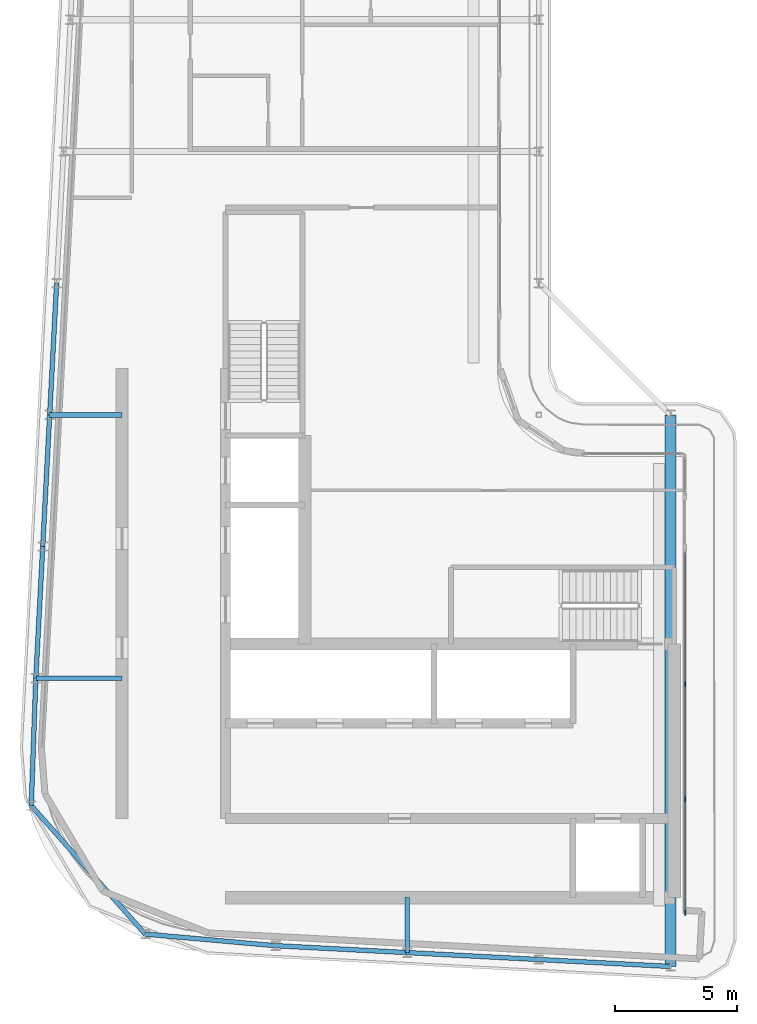
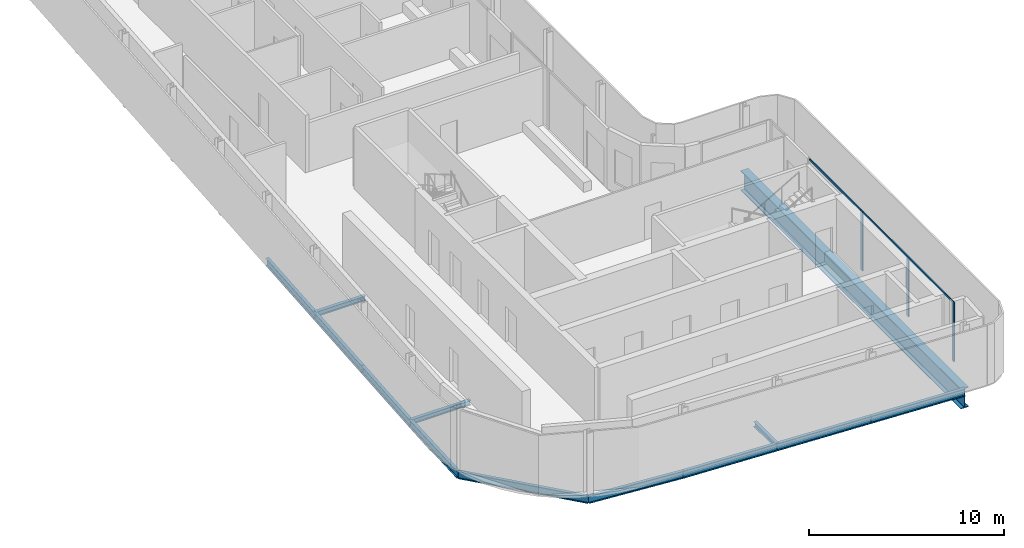
# One storey, part 4 of 15: 13 beams, 5 members, 2 elements without a shape of their own.
"""IFC4 building model written with IfcOpenShell, lengths in metres."""

from ifc_helpers import new_model, si_unit, direction, frame, origin, origin_2d, place, context, subcontext, project, spatial, rectangle, i_section, extrude, material, layer, layer_set, material_profile, profile_set, type_object, element, aggregate, save


model = new_model("IFC4")

# Units and contexts
model_context = context("Model", 3, precision=1e-05, world=origin(), true_north=direction((0.0, 1.0)))
body_context = subcontext(model_context, "Body", "Model", "MODEL_VIEW")
ifc_project = project(units=[si_unit("LENGTHUNIT", "METRE"), si_unit("AREAUNIT", "SQUARE_METRE"), si_unit("VOLUMEUNIT", "CUBIC_METRE"), si_unit("PLANEANGLEUNIT", "RADIAN"), si_unit("MASSUNIT", "GRAM", prefix="KILO")], contexts=[model_context])

# Site, building, storey
site_placement = place(None, origin())
site = spatial("IfcSite", under=ifc_project, at=site_placement, CompositionType="ELEMENT")
building_placement = place(site_placement, origin())
building = spatial("IfcBuilding", under=site, at=building_placement, Name="Kheshtan School and Residences Tower", CompositionType="ELEMENT")
storey_placement = place(building_placement, frame((0.0, 0.0, 338.300048828125)))
storey = spatial("IfcBuildingStorey", under=building, at=storey_placement, Name="L79", CompositionType="ELEMENT", Elevation=338.300048828125)

# Beams
ifc_material_1 = material(Name="Steel ASTM A992 Grade 50", Category="steel")
ifc_material_profile_1 = material_profile(ifc_material_1, i_section(OverallWidth=0.202880859375, OverallDepth=0.302978515625, WebThickness=0.007568359375, FlangeThickness=0.01318359375, FilletRadius=0.009033203125, at=origin_2d()), Name="W310x60")
ifc_profile_set_1 = profile_set([ifc_material_profile_1], Name="Steel ASTM A992 Grade 50")
beam_type_1 = type_object("IfcBeamType", Name="Beam FB1 W310x60 ASTM A992 Grade 50", PredefinedType="BEAM", material=ifc_profile_set_1)
beam_1_placement = place(storey_placement, frame((42.199951171875, 23.548095703125, -0.301513671875), z_axis=(0.0, 1.0, 0.0), x_axis=(-1.0, 0.0, 0.0)))
element("IfcBeam", 1, at=beam_1_placement, inside=storey, type_object=beam_type_1, Name="Floor beam C021", PredefinedType="BEAM", context=body_context, shape_type="SweptSolid", body=[
    extrude(i_section(OverallWidth=0.202880859375, OverallDepth=0.302978515625, WebThickness=0.007568359375, FlangeThickness=0.01318359375, FilletRadius=0.009033203125, at=origin_2d()), origin(), (0.0, 0.0, 1.0), 2.251953125),
])
beam_2_placement = place(storey_placement, frame((26.968994140625, 34.800048828125, -0.301513671875), z_axis=(1.0, 0.0, 0.0), x_axis=(0.0, 1.0, 0.0)))
element("IfcBeam", 2, at=beam_2_placement, inside=storey, type_object=beam_type_1, Name="Floor beam C052", PredefinedType="BEAM", context=body_context, shape_type="SweptSolid", body=[
    extrude(i_section(OverallWidth=0.202880859375, OverallDepth=0.302978515625, WebThickness=0.007568359375, FlangeThickness=0.01318359375, FilletRadius=0.009033203125, at=origin_2d()), origin(), (0.0, 0.0, 1.0), 3.531005859375),
])
beam_3_placement = place(storey_placement, frame((27.537109375, 45.60009765625, -0.301513671875), z_axis=(1.0, 0.0, 0.0), x_axis=(0.0, 1.0, 0.0)))
element("IfcBeam", 3, at=beam_3_placement, inside=storey, type_object=beam_type_1, Name="Floor beam C059", PredefinedType="BEAM", context=body_context, shape_type="SweptSolid", body=[
    extrude(i_section(OverallWidth=0.202880859375, OverallDepth=0.302978515625, WebThickness=0.007568359375, FlangeThickness=0.01318359375, FilletRadius=0.009033203125, at=origin_2d()), origin(), (0.0, 0.0, 1.0), 2.962890625),
])
ifc_material_profile_2 = material_profile(ifc_material_1, i_section(OverallWidth=0.18994140625, OverallDepth=0.45703125, WebThickness=0.009033203125, FlangeThickness=0.014404296875, FilletRadius=0.01318359375, at=origin_2d()), Name="W460x74")
ifc_profile_set_2 = profile_set([ifc_material_profile_2], Name="Steel ASTM A992 Grade 50")
beam_type_2 = type_object("IfcBeamType", Name="Beam SP4 W460x74 ASTM A992 Grade 50", PredefinedType="BEAM", material=ifc_profile_set_2)
beam_4_placement = place(storey_placement, frame((53.0, 22.97998046875, -0.378662109375), z_axis=(-0.998620447272, 0.05250906864, 0.0), x_axis=(-0.05250906864, -0.998620447272, 0.0)))
element("IfcBeam", 4, at=beam_4_placement, inside=storey, type_object=beam_type_2, Name="Spandrel beam C019-C020", PredefinedType="BEAM", context=body_context, shape_type="SweptSolid", body=[
    extrude(i_section(OverallWidth=0.18994140625, OverallDepth=0.45703125, WebThickness=0.009033203125, FlangeThickness=0.014404296875, FilletRadius=0.01318359375, at=origin_2d()), origin(), (0.0, 0.0, 1.0), 5.407470703125),
])
beam_5_placement = place(storey_placement, frame((47.60009765625, 23.263916015625, -0.378662109375), z_axis=(-0.998618203458, 0.052551724256, 0.0), x_axis=(-0.052551724256, -0.998618203458, 0.0)))
element("IfcBeam", 5, at=beam_5_placement, inside=storey, type_object=beam_type_2, Name="Spandrel beam C020-C021", PredefinedType="BEAM", context=body_context, shape_type="SweptSolid", body=[
    extrude(i_section(OverallWidth=0.18994140625, OverallDepth=0.45703125, WebThickness=0.009033203125, FlangeThickness=0.014404296875, FilletRadius=0.01318359375, at=origin_2d()), origin(), (0.0, 0.0, 1.0), 5.40771484375),
])
beam_6_placement = place(storey_placement, frame((42.199951171875, 23.548095703125, -0.378662109375), z_axis=(-0.998620447272, 0.05250906864, 0.0), x_axis=(-0.05250906864, -0.998620447272, 0.0)))
element("IfcBeam", 6, at=beam_6_placement, inside=storey, type_object=beam_type_2, Name="Spandrel beam C021-C022", PredefinedType="BEAM", context=body_context, shape_type="SweptSolid", body=[
    extrude(i_section(OverallWidth=0.18994140625, OverallDepth=0.45703125, WebThickness=0.009033203125, FlangeThickness=0.014404296875, FilletRadius=0.01318359375, at=origin_2d()), origin(), (0.0, 0.0, 1.0), 5.407470703125),
])
beam_7_placement = place(storey_placement, frame((36.800048828125, 23.83203125, -0.378662109375), z_axis=(-0.996058185284, 0.088702263383, 0.0), x_axis=(-0.088702263383, -0.996058185284, 0.0)))
element("IfcBeam", 7, at=beam_7_placement, inside=storey, type_object=beam_type_2, Name="Spandrel beam C022-C033", PredefinedType="BEAM", context=body_context, shape_type="SweptSolid", body=[
    extrude(i_section(OverallWidth=0.18994140625, OverallDepth=0.45703125, WebThickness=0.009033203125, FlangeThickness=0.014404296875, FilletRadius=0.01318359375, at=origin_2d()), origin(), (0.0, 0.0, 1.0), 5.3671875),
])
beam_8_placement = place(storey_placement, frame((31.4541015625, 24.30810546875, -0.378662109375), z_axis=(-0.663616789084, 0.748072695161, 0.0), x_axis=(-0.748072695161, -0.663616789084, 0.0)))
element("IfcBeam", 8, at=beam_8_placement, inside=storey, type_object=beam_type_2, Name="Spandrel beam C033-C046", PredefinedType="BEAM", context=body_context, shape_type="SweptSolid", body=[
    extrude(i_section(OverallWidth=0.18994140625, OverallDepth=0.45703125, WebThickness=0.009033203125, FlangeThickness=0.014404296875, FilletRadius=0.01318359375, at=origin_2d()), origin(), (0.0, 0.0, 1.0), 7.041748046875),
])
beam_9_placement = place(storey_placement, frame((26.781005859375, 29.575927734375, -0.378662109375), z_axis=(0.035961395853, 0.999353179816, 0.0), x_axis=(-0.999353179816, 0.035961395853, 0.0)))
element("IfcBeam", 9, at=beam_9_placement, inside=storey, type_object=beam_type_2, Name="Spandrel beam C046-C052", PredefinedType="BEAM", context=body_context, shape_type="SweptSolid", body=[
    extrude(i_section(OverallWidth=0.18994140625, OverallDepth=0.45703125, WebThickness=0.009033203125, FlangeThickness=0.014404296875, FilletRadius=0.01318359375, at=origin_2d()), origin(), (0.0, 0.0, 1.0), 5.2275390625),
])
beam_10_placement = place(storey_placement, frame((26.968994140625, 34.800048828125, -0.378662109375), z_axis=(0.05250906864, 0.998620447272, 0.0), x_axis=(-0.998620447272, 0.05250906864, 0.0)))
element("IfcBeam", 10, at=beam_10_placement, inside=storey, type_object=beam_type_2, Name="Spandrel beam C052-C056", PredefinedType="BEAM", context=body_context, shape_type="SweptSolid", body=[
    extrude(i_section(OverallWidth=0.18994140625, OverallDepth=0.45703125, WebThickness=0.009033203125, FlangeThickness=0.014404296875, FilletRadius=0.01318359375, at=origin_2d()), origin(), (0.0, 0.0, 1.0), 5.407470703125),
])
beam_11_placement = place(storey_placement, frame((27.2529296875, 40.199951171875, -0.378662109375), z_axis=(0.052551724256, 0.998618203458, 0.0), x_axis=(-0.998618203458, 0.052551724256, 0.0)))
element("IfcBeam", 11, at=beam_11_placement, inside=storey, type_object=beam_type_2, Name="Spandrel beam C056-C059", PredefinedType="BEAM", context=body_context, shape_type="SweptSolid", body=[
    extrude(i_section(OverallWidth=0.18994140625, OverallDepth=0.45703125, WebThickness=0.009033203125, FlangeThickness=0.014404296875, FilletRadius=0.01318359375, at=origin_2d()), origin(), (0.0, 0.0, 1.0), 5.40771484375),
])
beam_12_placement = place(storey_placement, frame((27.537109375, 45.60009765625, -0.378662109375), z_axis=(0.052689166816, 0.998610961136, 0.0), x_axis=(-0.998610961136, 0.052689166816, 0.0)))
element("IfcBeam", 12, at=beam_12_placement, inside=storey, type_object=beam_type_2, Name="Spandrel beam C059-C078", PredefinedType="BEAM", context=body_context, shape_type="SweptSolid", body=[
    extrude(i_section(OverallWidth=0.18994140625, OverallDepth=0.45703125, WebThickness=0.009033203125, FlangeThickness=0.014404296875, FilletRadius=0.01318359375, at=origin_2d()), origin(), (0.0, 0.0, 1.0), 5.407470703125),
])

# Curtain wall, member
ifc_material_2 = material(Name="Clear low-e glass in thermally broken aluminium frame", Category="aluminium")
ifc_layer = layer(ifc_material_2, 0.199951171875)
ifc_layer_set = layer_set([ifc_layer], Name="Curtain wall CW-L")
curtain_wall_type = type_object("IfcCurtainWallType", Name="Curtain wall CW-L", PredefinedType="NOTDEFINED", material=ifc_layer_set)
curtain_wall_1_placement = place(storey_placement, origin())
curtain_wall_1 = element("IfcCurtainWall", 13, at=curtain_wall_1_placement, inside=storey, type_object=curtain_wall_type, Name="Curtain wall CWL9c", PredefinedType="NOTDEFINED")
ifc_material_3 = material(Name="Thermally broken aluminium, dark bronze anodised", Category="aluminium")
ifc_material_profile_3 = material_profile(ifc_material_3, rectangle(XDim=0.06005859375, YDim=0.199951171875, at=origin_2d()), Name="CW-L mullion 60x200")
ifc_profile_set_3 = profile_set([ifc_material_profile_3], Name="Thermally broken aluminium, dark bronze anodised")
member_type_1 = type_object("IfcMemberType", Name="CW-L mullion 60x200", PredefinedType="MULLION", material=ifc_profile_set_3)
member_1_placement = place(storey_placement, frame((53.60009765625, 34.55810546875, 0.0), z_axis=(0.0, 0.0, 1.0), x_axis=(1.0, 0.0, 0.0)))
member_1 = element("IfcMember", 14, at=member_1_placement, type_object=member_type_1, Name="CWL9c mullion 2", PredefinedType="MULLION", context=body_context, shape_type="SweptSolid", body=[
    extrude(rectangle(XDim=0.06005859375, YDim=0.199951171875, at=origin_2d()), origin(), (0.0, 0.0, 1.0), 3.75),
])

# Curtain wall, members
curtain_wall_2_placement = place(storey_placement, origin())
curtain_wall_2 = element("IfcCurtainWall", 15, at=curtain_wall_2_placement, inside=storey, type_object=curtain_wall_type, Name="Curtain wall CWL9d", PredefinedType="NOTDEFINED")
member_2_placement = place(storey_placement, frame((53.60009765625, 29.842041015625, 0.0), z_axis=(0.0, 0.0, 1.0), x_axis=(1.0, 0.0, 0.0)))
member_2 = element("IfcMember", 16, at=member_2_placement, type_object=member_type_1, Name="CWL9d mullion 2", PredefinedType="MULLION", context=body_context, shape_type="SweptSolid", body=[
    extrude(rectangle(XDim=0.06005859375, YDim=0.199951171875, at=origin_2d()), origin(), (0.0, 0.0, 1.0), 3.6298828125),
])
member_3_placement = place(storey_placement, frame((53.60009765625, 25.18603515625, 0.0), z_axis=(0.0, 0.0, 1.0), x_axis=(1.0, 0.0, 0.0)))
member_3 = element("IfcMember", 17, at=member_3_placement, type_object=member_type_1, Name="CWL9d mullion 3", PredefinedType="MULLION", context=body_context, shape_type="SweptSolid", body=[
    extrude(rectangle(XDim=0.06005859375, YDim=0.199951171875, at=origin_2d()), origin(), (0.0, 0.0, 1.0), 3.75),
])

# Member
ifc_material_profile_4 = material_profile(ifc_material_3, rectangle(XDim=0.06005859375, YDim=0.1201171875, at=origin_2d()), Name="CW-L transom 60x120")
ifc_profile_set_4 = profile_set([ifc_material_profile_4], Name="Thermally broken aluminium, dark bronze anodised")
member_type_2 = type_object("IfcMemberType", Name="CW-L transom 60x120", PredefinedType="USERDEFINED", material=ifc_profile_set_4)
member_4_placement = place(storey_placement, frame((53.60009765625, 39.93994140625, 3.68994140625), z_axis=(0.0, -1.0, 0.0), x_axis=(1.0, 0.0, 0.0)))
member_4 = element("IfcMember", 18, at=member_4_placement, type_object=member_type_2, Name="CWL9c transom 1", ObjectType="TRANSOM", PredefinedType="USERDEFINED", context=body_context, shape_type="SweptSolid", body=[
    extrude(rectangle(XDim=0.06005859375, YDim=0.1201171875, at=origin_2d()), origin(), (0.0, 0.0, 1.0), 5.35205078125),
])

aggregate(curtain_wall_1, [member_1, member_4])

member_5_placement = place(storey_placement, frame((53.60009765625, 34.528076171875, 3.68994140625), z_axis=(0.0, -1.0, 0.0), x_axis=(1.0, 0.0, 0.0)))
member_5 = element("IfcMember", 19, at=member_5_placement, type_object=member_type_2, Name="CWL9d transom 1", ObjectType="TRANSOM", PredefinedType="USERDEFINED", context=body_context, shape_type="SweptSolid", body=[
    extrude(rectangle(XDim=0.06005859375, YDim=0.1201171875, at=origin_2d()), origin(), (0.0, 0.0, 1.0), 9.31201171875),
])

aggregate(curtain_wall_2, [member_2, member_3, member_5])

# Beam
ifc_material_profile_5 = material_profile(ifc_material_1, i_section(OverallWidth=0.449951171875, OverallDepth=1.25, WebThickness=0.02490234375, FlangeThickness=0.044921875, FilletRadius=0.03759765625, at=origin_2d()), Name="WWF1250x546")
ifc_profile_set_5 = profile_set([ifc_material_profile_5], Name="Steel ASTM A992 Grade 50")
beam_type_3 = type_object("IfcBeamType", Name="Transfer girder TG4 WWF1250x546 ASTM A992 Grade 50", PredefinedType="BEAM", material=ifc_profile_set_5)
beam_13_placement = place(storey_placement, frame((53.0, 45.60009765625, -0.775146484375), z_axis=(0.0, -1.0, 0.0), x_axis=(1.0, 0.0, 0.0)))
element("IfcBeam", 20, at=beam_13_placement, inside=storey, type_object=beam_type_3, Name="Transfer girder C061-C019", PredefinedType="BEAM", context=body_context, shape_type="SweptSolid", body=[
    extrude(i_section(OverallWidth=0.449951171875, OverallDepth=1.25, WebThickness=0.02490234375, FlangeThickness=0.044921875, FilletRadius=0.03759765625, at=origin_2d()), origin(), (0.0, 0.0, 1.0), 22.6201171875),
])

save(model, "model.ifc")
